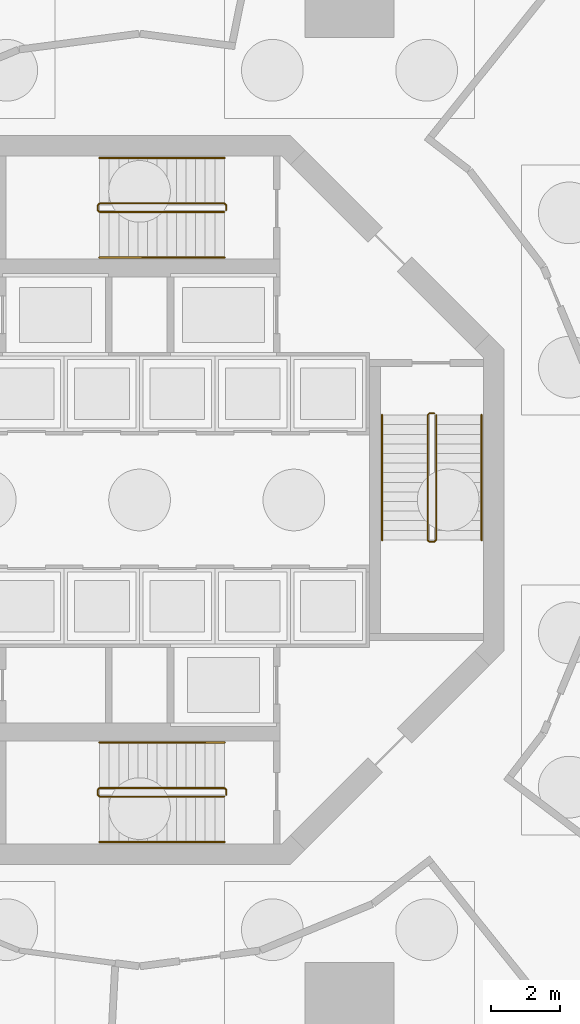
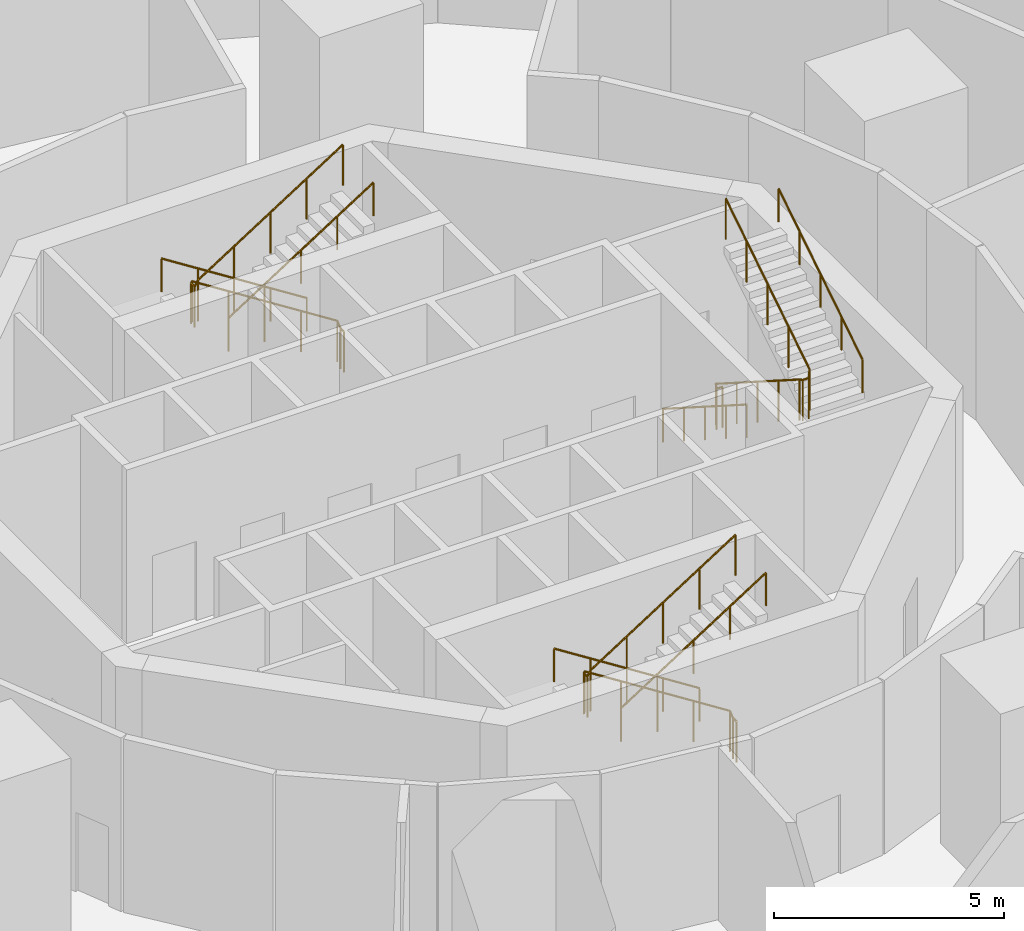
# One storey, part 12 of 14: 9 railings.
"""IFC4 building model written with IfcOpenShell, lengths in metres."""

from ifc_helpers import new_model, si_unit, direction, frame, origin, origin_2d, place, context, subcontext, project, spatial, circle, extrude, material, type_object, element, save


model = new_model("IFC4")

# Units and contexts
model_context = context("Model", 3, precision=1e-05, world=origin(), true_north=direction((0.0, 1.0)))
body_context = subcontext(model_context, "Body", "Model", "MODEL_VIEW")
ifc_project = project(units=[si_unit("LENGTHUNIT", "METRE"), si_unit("AREAUNIT", "SQUARE_METRE"), si_unit("VOLUMEUNIT", "CUBIC_METRE"), si_unit("PLANEANGLEUNIT", "RADIAN"), si_unit("MASSUNIT", "GRAM", prefix="KILO")], contexts=[model_context])

# Site, building, storey
site_placement = place(None, origin())
site = spatial("IfcSite", under=ifc_project, at=site_placement, CompositionType="ELEMENT")
building_placement = place(site_placement, origin())
building = spatial("IfcBuilding", under=site, at=building_placement, Name="Nagisa Residences", CompositionType="ELEMENT")
storey_placement = place(building_placement, frame((0.0, 0.0, -10.0)))
storey = spatial("IfcBuildingStorey", under=building, at=storey_placement, Name="B2", CompositionType="ELEMENT", Elevation=-10.0)

# Railings
ifc_material_1 = material(Name="Stainless steel", Category="steel")
railing_type_1 = type_object("IfcRailingType", Name="Stair guard 1100", PredefinedType="GUARDRAIL", material=ifc_material_1)
railing_1_placement = place(storey_placement, frame((8.599609375, 2.52490234375, 0.0)))
element("IfcRailing", 1, at=railing_1_placement, inside=storey, type_object=railing_type_1, Name="B2 ST-E stair guard 1", PredefinedType="GUARDRAIL", context=body_context, shape_type="SweptSolid", body=[
    extrude(circle(Radius=0.02392578125, at=origin_2d()), frame((0.0, 0.0, 1.076171875), z_axis=(-1.0, 0.0, 0.0), x_axis=(0.0, -1.0, 0.0)), (0.0, 0.0, 1.0), 0.14990234375),
    extrude(circle(Radius=0.02392578125, at=origin_2d()), frame((-0.14990234375, 0.0, 1.076171875), z_axis=(-0.26077077684, -0.25949872427, 0.929870428634), x_axis=(0.705375805398, -0.708833529934, 0.0)), (0.0, 0.0, 1.0), 0.19189453125),
    extrude(circle(Radius=0.02392578125, at=origin_2d()), frame((-0.199951171875, -0.0498046875, 1.25439453125), z_axis=(0.0, -0.843127859045, 0.537713132908), x_axis=(1.0, 0.0, 0.0)), (0.0, 0.0, 1.0), 4.3173828125),
    extrude(circle(Radius=0.02392578125, at=origin_2d()), frame((-0.199951171875, -3.68994140625, 3.576171875), z_axis=(0.707106781187, -0.707106781187, 0.0), x_axis=(0.707106781187, 0.707106781187, 0.0)), (0.0, 0.0, 1.0), 0.07080078125),
    extrude(circle(Radius=0.02392578125, at=origin_2d()), frame((-0.14990234375, -3.739990234375, 3.576171875), z_axis=(1.0, 0.0, 0.0), x_axis=(0.0, 1.0, 0.0)), (0.0, 0.0, 1.0), 0.14990234375),
    extrude(circle(Radius=0.02392578125, at=origin_2d()), frame((0.0, -3.739990234375, 3.576171875), z_axis=(0.260684529273, 0.260684529273, 0.929562882432), x_axis=(-0.707106781187, 0.707106781187, 0.0)), (0.0, 0.0, 1.0), 0.19189453125),
    extrude(circle(Radius=0.02392578125, at=origin_2d()), frame((0.050048828125, -3.68994140625, 3.75439453125), z_axis=(0.0, 0.843127859045, 0.537713132908), x_axis=(-1.0, 0.0, 0.0)), (0.0, 0.0, 1.0), 4.3173828125),
    extrude(circle(Radius=0.02099609375, at=origin_2d()), origin(), (0.0, 0.0, 1.0), 1.052001953125),
    extrude(circle(Radius=0.02099609375, at=origin_2d()), frame((-0.14990234375, 0.0, 0.0)), (0.0, 0.0, 1.0), 1.052001953125),
    extrude(circle(Radius=0.02099609375, at=origin_2d()), frame((-0.199951171875, -0.0498046875, 0.178466796875)), (0.0, 0.0, 1.0), 1.052001953125),
    extrude(circle(Radius=0.02099609375, at=origin_2d()), frame((-0.199951171875, -0.9599609375, 0.7587890625)), (0.0, 0.0, 1.0), 1.052001953125),
    extrude(circle(Radius=0.02099609375, at=origin_2d()), frame((-0.199951171875, -1.869873046875, 1.33935546875)), (0.0, 0.0, 1.0), 1.052001953125),
    extrude(circle(Radius=0.02099609375, at=origin_2d()), frame((-0.199951171875, -2.77978515625, 1.919677734375)), (0.0, 0.0, 1.0), 1.052001953125),
    extrude(circle(Radius=0.02099609375, at=origin_2d()), frame((-0.199951171875, -3.68994140625, 2.5)), (0.0, 0.0, 1.0), 1.052001953125),
    extrude(circle(Radius=0.02099609375, at=origin_2d()), frame((-0.14990234375, -3.739990234375, 2.5)), (0.0, 0.0, 1.0), 1.052001953125),
    extrude(circle(Radius=0.02099609375, at=origin_2d()), frame((0.0, -3.739990234375, 2.5)), (0.0, 0.0, 1.0), 1.052001953125),
    extrude(circle(Radius=0.02099609375, at=origin_2d()), frame((0.050048828125, -3.68994140625, 2.678466796875)), (0.0, 0.0, 1.0), 1.052001953125),
    extrude(circle(Radius=0.02099609375, at=origin_2d()), frame((0.050048828125, -2.77978515625, 3.2587890625)), (0.0, 0.0, 1.0), 1.052001953125),
    extrude(circle(Radius=0.02099609375, at=origin_2d()), frame((0.050048828125, -1.869873046875, 3.83935546875)), (0.0, 0.0, 1.0), 1.052001953125),
    extrude(circle(Radius=0.02099609375, at=origin_2d()), frame((0.050048828125, -0.9599609375, 4.419677734375)), (0.0, 0.0, 1.0), 1.052001953125),
    extrude(circle(Radius=0.02099609375, at=origin_2d()), frame((0.050048828125, -0.0498046875, 5.0)), (0.0, 0.0, 1.0), 1.052001953125),
])
railing_2_placement = place(storey_placement, frame((2.52490234375, 8.44970703125, 0.0)))
element("IfcRailing", 2, at=railing_2_placement, inside=storey, type_object=railing_type_1, Name="B2 ST-N stair guard 1", PredefinedType="GUARDRAIL", context=body_context, shape_type="SweptSolid", body=[
    extrude(circle(Radius=0.02392578125, at=origin_2d()), frame((0.0, 0.0, 1.076171875), z_axis=(0.0, 1.0, 0.0), x_axis=(-1.0, 0.0, 0.0)), (0.0, 0.0, 1.0), 0.14990234375),
    extrude(circle(Radius=0.02392578125, at=origin_2d()), frame((0.0, 0.14990234375, 1.076171875), z_axis=(-0.25949872427, 0.26077077684, 0.929870428634), x_axis=(-0.708833529934, -0.705375805398, 0.0)), (0.0, 0.0, 1.0), 0.19189453125),
    extrude(circle(Radius=0.02392578125, at=origin_2d()), frame((-0.0498046875, 0.199951171875, 1.25439453125), z_axis=(-0.843127859045, 0.0, 0.537713132908), x_axis=(0.0, -1.0, 0.0)), (0.0, 0.0, 1.0), 4.3173828125),
    extrude(circle(Radius=0.02392578125, at=origin_2d()), frame((-3.68994140625, 0.199951171875, 3.576171875), z_axis=(-0.707106781187, -0.707106781187, 0.0), x_axis=(0.707106781187, -0.707106781187, 0.0)), (0.0, 0.0, 1.0), 0.07080078125),
    extrude(circle(Radius=0.02392578125, at=origin_2d()), frame((-3.739990234375, 0.14990234375, 3.576171875), z_axis=(0.0, -1.0, 0.0), x_axis=(1.0, 0.0, 0.0)), (0.0, 0.0, 1.0), 0.14990234375),
    extrude(circle(Radius=0.02392578125, at=origin_2d()), frame((-3.739990234375, 0.0, 3.576171875), z_axis=(0.260684529273, -0.260684529273, 0.929562882432), x_axis=(0.707106781187, 0.707106781187, 0.0)), (0.0, 0.0, 1.0), 0.19189453125),
    extrude(circle(Radius=0.02392578125, at=origin_2d()), frame((-3.68994140625, -0.050048828125, 3.75439453125), z_axis=(0.843127859045, 0.0, 0.537713132908), x_axis=(0.0, 1.0, 0.0)), (0.0, 0.0, 1.0), 4.3173828125),
    extrude(circle(Radius=0.02099609375, at=origin_2d()), origin(), (0.0, 0.0, 1.0), 1.052001953125),
    extrude(circle(Radius=0.02099609375, at=origin_2d()), frame((0.0, 0.14990234375, 0.0)), (0.0, 0.0, 1.0), 1.052001953125),
    extrude(circle(Radius=0.02099609375, at=origin_2d()), frame((-0.0498046875, 0.199951171875, 0.178466796875)), (0.0, 0.0, 1.0), 1.052001953125),
    extrude(circle(Radius=0.02099609375, at=origin_2d()), frame((-0.9599609375, 0.199951171875, 0.7587890625)), (0.0, 0.0, 1.0), 1.052001953125),
    extrude(circle(Radius=0.02099609375, at=origin_2d()), frame((-1.869873046875, 0.199951171875, 1.33935546875)), (0.0, 0.0, 1.0), 1.052001953125),
    extrude(circle(Radius=0.02099609375, at=origin_2d()), frame((-2.77978515625, 0.199951171875, 1.919677734375)), (0.0, 0.0, 1.0), 1.052001953125),
    extrude(circle(Radius=0.02099609375, at=origin_2d()), frame((-3.68994140625, 0.199951171875, 2.5)), (0.0, 0.0, 1.0), 1.052001953125),
    extrude(circle(Radius=0.02099609375, at=origin_2d()), frame((-3.739990234375, 0.14990234375, 2.5)), (0.0, 0.0, 1.0), 1.052001953125),
    extrude(circle(Radius=0.02099609375, at=origin_2d()), frame((-3.739990234375, 0.0, 2.5)), (0.0, 0.0, 1.0), 1.052001953125),
    extrude(circle(Radius=0.02099609375, at=origin_2d()), frame((-3.68994140625, -0.050048828125, 2.678466796875)), (0.0, 0.0, 1.0), 1.052001953125),
    extrude(circle(Radius=0.02099609375, at=origin_2d()), frame((-2.77978515625, -0.050048828125, 3.2587890625)), (0.0, 0.0, 1.0), 1.052001953125),
    extrude(circle(Radius=0.02099609375, at=origin_2d()), frame((-1.869873046875, -0.050048828125, 3.83935546875)), (0.0, 0.0, 1.0), 1.052001953125),
    extrude(circle(Radius=0.02099609375, at=origin_2d()), frame((-0.9599609375, -0.050048828125, 4.419677734375)), (0.0, 0.0, 1.0), 1.052001953125),
    extrude(circle(Radius=0.02099609375, at=origin_2d()), frame((-0.0498046875, -0.050048828125, 5.0)), (0.0, 0.0, 1.0), 1.052001953125),
])
railing_3_placement = place(storey_placement, frame((2.52490234375, -8.599609375, 0.0)))
element("IfcRailing", 3, at=railing_3_placement, inside=storey, type_object=railing_type_1, Name="B2 ST-S stair guard 1", PredefinedType="GUARDRAIL", context=body_context, shape_type="SweptSolid", body=[
    extrude(circle(Radius=0.02392578125, at=origin_2d()), frame((0.0, 0.0, 1.076171875), z_axis=(0.0, 1.0, 0.0), x_axis=(-1.0, 0.0, 0.0)), (0.0, 0.0, 1.0), 0.14990234375),
    extrude(circle(Radius=0.02392578125, at=origin_2d()), frame((0.0, 0.14990234375, 1.076171875), z_axis=(-0.25949872427, 0.26077077684, 0.929870428634), x_axis=(-0.708833529934, -0.705375805398, 0.0)), (0.0, 0.0, 1.0), 0.19189453125),
    extrude(circle(Radius=0.02392578125, at=origin_2d()), frame((-0.0498046875, 0.199951171875, 1.25439453125), z_axis=(-0.843127859045, 0.0, 0.537713132908), x_axis=(0.0, -1.0, 0.0)), (0.0, 0.0, 1.0), 4.3173828125),
    extrude(circle(Radius=0.02392578125, at=origin_2d()), frame((-3.68994140625, 0.199951171875, 3.576171875), z_axis=(-0.707106781187, -0.707106781187, 0.0), x_axis=(0.707106781187, -0.707106781187, 0.0)), (0.0, 0.0, 1.0), 0.07080078125),
    extrude(circle(Radius=0.02392578125, at=origin_2d()), frame((-3.739990234375, 0.14990234375, 3.576171875), z_axis=(0.0, -1.0, 0.0), x_axis=(1.0, 0.0, 0.0)), (0.0, 0.0, 1.0), 0.14990234375),
    extrude(circle(Radius=0.02392578125, at=origin_2d()), frame((-3.739990234375, 0.0, 3.576171875), z_axis=(0.260684529273, -0.260684529273, 0.929562882432), x_axis=(0.707106781187, 0.707106781187, 0.0)), (0.0, 0.0, 1.0), 0.19189453125),
    extrude(circle(Radius=0.02392578125, at=origin_2d()), frame((-3.68994140625, -0.050048828125, 3.75439453125), z_axis=(0.843127859045, 0.0, 0.537713132908), x_axis=(0.0, 1.0, 0.0)), (0.0, 0.0, 1.0), 4.3173828125),
    extrude(circle(Radius=0.02099609375, at=origin_2d()), origin(), (0.0, 0.0, 1.0), 1.052001953125),
    extrude(circle(Radius=0.02099609375, at=origin_2d()), frame((0.0, 0.14990234375, 0.0)), (0.0, 0.0, 1.0), 1.052001953125),
    extrude(circle(Radius=0.02099609375, at=origin_2d()), frame((-0.0498046875, 0.199951171875, 0.178466796875)), (0.0, 0.0, 1.0), 1.052001953125),
    extrude(circle(Radius=0.02099609375, at=origin_2d()), frame((-0.9599609375, 0.199951171875, 0.7587890625)), (0.0, 0.0, 1.0), 1.052001953125),
    extrude(circle(Radius=0.02099609375, at=origin_2d()), frame((-1.869873046875, 0.199951171875, 1.33935546875)), (0.0, 0.0, 1.0), 1.052001953125),
    extrude(circle(Radius=0.02099609375, at=origin_2d()), frame((-2.77978515625, 0.199951171875, 1.919677734375)), (0.0, 0.0, 1.0), 1.052001953125),
    extrude(circle(Radius=0.02099609375, at=origin_2d()), frame((-3.68994140625, 0.199951171875, 2.5)), (0.0, 0.0, 1.0), 1.052001953125),
    extrude(circle(Radius=0.02099609375, at=origin_2d()), frame((-3.739990234375, 0.14990234375, 2.5)), (0.0, 0.0, 1.0), 1.052001953125),
    extrude(circle(Radius=0.02099609375, at=origin_2d()), frame((-3.739990234375, 0.0, 2.5)), (0.0, 0.0, 1.0), 1.052001953125),
    extrude(circle(Radius=0.02099609375, at=origin_2d()), frame((-3.68994140625, -0.050048828125, 2.678466796875)), (0.0, 0.0, 1.0), 1.052001953125),
    extrude(circle(Radius=0.02099609375, at=origin_2d()), frame((-2.77978515625, -0.050048828125, 3.2587890625)), (0.0, 0.0, 1.0), 1.052001953125),
    extrude(circle(Radius=0.02099609375, at=origin_2d()), frame((-1.869873046875, -0.050048828125, 3.83935546875)), (0.0, 0.0, 1.0), 1.052001953125),
    extrude(circle(Radius=0.02099609375, at=origin_2d()), frame((-0.9599609375, -0.050048828125, 4.419677734375)), (0.0, 0.0, 1.0), 1.052001953125),
    extrude(circle(Radius=0.02099609375, at=origin_2d()), frame((-0.0498046875, -0.050048828125, 5.0)), (0.0, 0.0, 1.0), 1.052001953125),
])
ifc_material_2 = material(Name="Stainless steel", Category="steel")
railing_type_2 = type_object("IfcRailingType", Name="Stair handrail 900", PredefinedType="HANDRAIL", material=ifc_material_2)
railing_4_placement = place(storey_placement, frame((7.07470703125, 2.47509765625, 0.178466796875)))
element("IfcRailing", 4, at=railing_4_placement, inside=storey, type_object=railing_type_2, Name="B2 ST-E stair handrail 1", PredefinedType="HANDRAIL", context=body_context, shape_type="SweptSolid", body=[
    extrude(circle(Radius=0.02392578125, at=origin_2d()), frame((0.0, 0.0, 0.8759765625), z_axis=(0.0, -0.843127859045, 0.537713132908), x_axis=(1.0, 0.0, 0.0)), (0.0, 0.0, 1.0), 4.3173828125),
    extrude(circle(Radius=0.02099609375, at=origin_2d()), origin(), (0.0, 0.0, 1.0), 0.851806640625),
    extrude(circle(Radius=0.02099609375, at=origin_2d()), frame((0.0, -0.91015625, 0.580322265625)), (0.0, 0.0, 1.0), 0.851806640625),
    extrude(circle(Radius=0.02099609375, at=origin_2d()), frame((0.0, -1.820068359375, 1.16064453125)), (0.0, 0.0, 1.0), 0.851806640625),
    extrude(circle(Radius=0.02099609375, at=origin_2d()), frame((0.0, -2.72998046875, 1.7412109375)), (0.0, 0.0, 1.0), 0.851806640625),
    extrude(circle(Radius=0.02099609375, at=origin_2d()), frame((0.0, -3.64013671875, 2.321533203125)), (0.0, 0.0, 1.0), 0.851806640625),
])
railing_5_placement = place(storey_placement, frame((9.974609375, -1.1650390625, 2.678466796875)))
element("IfcRailing", 5, at=railing_5_placement, inside=storey, type_object=railing_type_2, Name="B2 ST-E stair handrail 2", PredefinedType="HANDRAIL", context=body_context, shape_type="SweptSolid", body=[
    extrude(circle(Radius=0.02392578125, at=origin_2d()), frame((0.0, 0.0, 0.8759765625), z_axis=(0.0, 0.843127859045, 0.537713132908), x_axis=(-1.0, 0.0, 0.0)), (0.0, 0.0, 1.0), 4.3173828125),
    extrude(circle(Radius=0.02099609375, at=origin_2d()), origin(), (0.0, 0.0, 1.0), 0.851806640625),
    extrude(circle(Radius=0.02099609375, at=origin_2d()), frame((0.0, 0.91015625, 0.580322265625)), (0.0, 0.0, 1.0), 0.851806640625),
    extrude(circle(Radius=0.02099609375, at=origin_2d()), frame((0.0, 1.820068359375, 1.16064453125)), (0.0, 0.0, 1.0), 0.851806640625),
    extrude(circle(Radius=0.02099609375, at=origin_2d()), frame((0.0, 2.72998046875, 1.7412109375)), (0.0, 0.0, 1.0), 0.851806640625),
    extrude(circle(Radius=0.02099609375, at=origin_2d()), frame((0.0, 3.64013671875, 2.321533203125)), (0.0, 0.0, 1.0), 0.851806640625),
])
railing_6_placement = place(storey_placement, frame((2.47509765625, 9.974609375, 0.178466796875)))
element("IfcRailing", 6, at=railing_6_placement, inside=storey, type_object=railing_type_2, Name="B2 ST-N stair handrail 1", PredefinedType="HANDRAIL", context=body_context, shape_type="SweptSolid", body=[
    extrude(circle(Radius=0.02392578125, at=origin_2d()), frame((0.0, 0.0, 0.8759765625), z_axis=(-0.843127859045, 0.0, 0.537713132908), x_axis=(0.0, -1.0, 0.0)), (0.0, 0.0, 1.0), 4.3173828125),
    extrude(circle(Radius=0.02099609375, at=origin_2d()), origin(), (0.0, 0.0, 1.0), 0.851806640625),
    extrude(circle(Radius=0.02099609375, at=origin_2d()), frame((-0.91015625, 0.0, 0.580322265625)), (0.0, 0.0, 1.0), 0.851806640625),
    extrude(circle(Radius=0.02099609375, at=origin_2d()), frame((-1.820068359375, 0.0, 1.16064453125)), (0.0, 0.0, 1.0), 0.851806640625),
    extrude(circle(Radius=0.02099609375, at=origin_2d()), frame((-2.72998046875, 0.0, 1.7412109375)), (0.0, 0.0, 1.0), 0.851806640625),
    extrude(circle(Radius=0.02099609375, at=origin_2d()), frame((-3.64013671875, 0.0, 2.321533203125)), (0.0, 0.0, 1.0), 0.851806640625),
])
railing_7_placement = place(storey_placement, frame((-1.1650390625, 7.07470703125, 2.678466796875)))
element("IfcRailing", 7, at=railing_7_placement, inside=storey, type_object=railing_type_2, Name="B2 ST-N stair handrail 2", PredefinedType="HANDRAIL", context=body_context, shape_type="SweptSolid", body=[
    extrude(circle(Radius=0.02392578125, at=origin_2d()), frame((0.0, 0.0, 0.8759765625), z_axis=(0.843127859045, 0.0, 0.537713132908), x_axis=(0.0, 1.0, 0.0)), (0.0, 0.0, 1.0), 4.3173828125),
    extrude(circle(Radius=0.02099609375, at=origin_2d()), origin(), (0.0, 0.0, 1.0), 0.851806640625),
    extrude(circle(Radius=0.02099609375, at=origin_2d()), frame((0.91015625, 0.0, 0.580322265625)), (0.0, 0.0, 1.0), 0.851806640625),
    extrude(circle(Radius=0.02099609375, at=origin_2d()), frame((1.820068359375, 0.0, 1.16064453125)), (0.0, 0.0, 1.0), 0.851806640625),
    extrude(circle(Radius=0.02099609375, at=origin_2d()), frame((2.72998046875, 0.0, 1.7412109375)), (0.0, 0.0, 1.0), 0.851806640625),
    extrude(circle(Radius=0.02099609375, at=origin_2d()), frame((3.64013671875, 0.0, 2.321533203125)), (0.0, 0.0, 1.0), 0.851806640625),
])
railing_8_placement = place(storey_placement, frame((2.47509765625, -7.07470703125, 0.178466796875)))
element("IfcRailing", 8, at=railing_8_placement, inside=storey, type_object=railing_type_2, Name="B2 ST-S stair handrail 1", PredefinedType="HANDRAIL", context=body_context, shape_type="SweptSolid", body=[
    extrude(circle(Radius=0.02392578125, at=origin_2d()), frame((0.0, 0.0, 0.8759765625), z_axis=(-0.843127859045, 0.0, 0.537713132908), x_axis=(0.0, -1.0, 0.0)), (0.0, 0.0, 1.0), 4.3173828125),
    extrude(circle(Radius=0.02099609375, at=origin_2d()), origin(), (0.0, 0.0, 1.0), 0.851806640625),
    extrude(circle(Radius=0.02099609375, at=origin_2d()), frame((-0.91015625, 0.0, 0.580322265625)), (0.0, 0.0, 1.0), 0.851806640625),
    extrude(circle(Radius=0.02099609375, at=origin_2d()), frame((-1.820068359375, 0.0, 1.16064453125)), (0.0, 0.0, 1.0), 0.851806640625),
    extrude(circle(Radius=0.02099609375, at=origin_2d()), frame((-2.72998046875, 0.0, 1.7412109375)), (0.0, 0.0, 1.0), 0.851806640625),
    extrude(circle(Radius=0.02099609375, at=origin_2d()), frame((-3.64013671875, 0.0, 2.321533203125)), (0.0, 0.0, 1.0), 0.851806640625),
])
railing_9_placement = place(storey_placement, frame((-1.1650390625, -9.974609375, 2.678466796875)))
element("IfcRailing", 9, at=railing_9_placement, inside=storey, type_object=railing_type_2, Name="B2 ST-S stair handrail 2", PredefinedType="HANDRAIL", context=body_context, shape_type="SweptSolid", body=[
    extrude(circle(Radius=0.02392578125, at=origin_2d()), frame((0.0, 0.0, 0.8759765625), z_axis=(0.843127859045, 0.0, 0.537713132908), x_axis=(0.0, 1.0, 0.0)), (0.0, 0.0, 1.0), 4.3173828125),
    extrude(circle(Radius=0.02099609375, at=origin_2d()), origin(), (0.0, 0.0, 1.0), 0.851806640625),
    extrude(circle(Radius=0.02099609375, at=origin_2d()), frame((0.91015625, 0.0, 0.580322265625)), (0.0, 0.0, 1.0), 0.851806640625),
    extrude(circle(Radius=0.02099609375, at=origin_2d()), frame((1.820068359375, 0.0, 1.16064453125)), (0.0, 0.0, 1.0), 0.851806640625),
    extrude(circle(Radius=0.02099609375, at=origin_2d()), frame((2.72998046875, 0.0, 1.7412109375)), (0.0, 0.0, 1.0), 0.851806640625),
    extrude(circle(Radius=0.02099609375, at=origin_2d()), frame((3.64013671875, 0.0, 2.321533203125)), (0.0, 0.0, 1.0), 0.851806640625),
])

save(model, "model.ifc")
